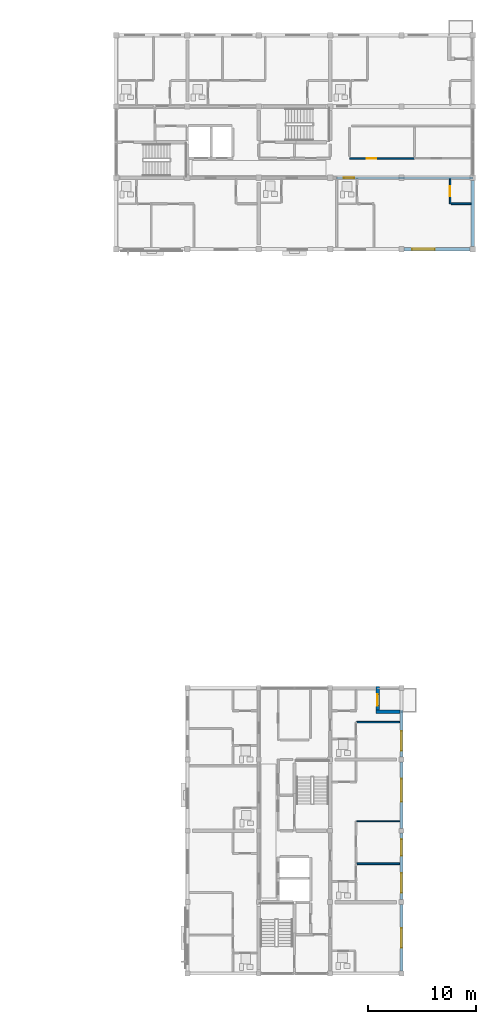
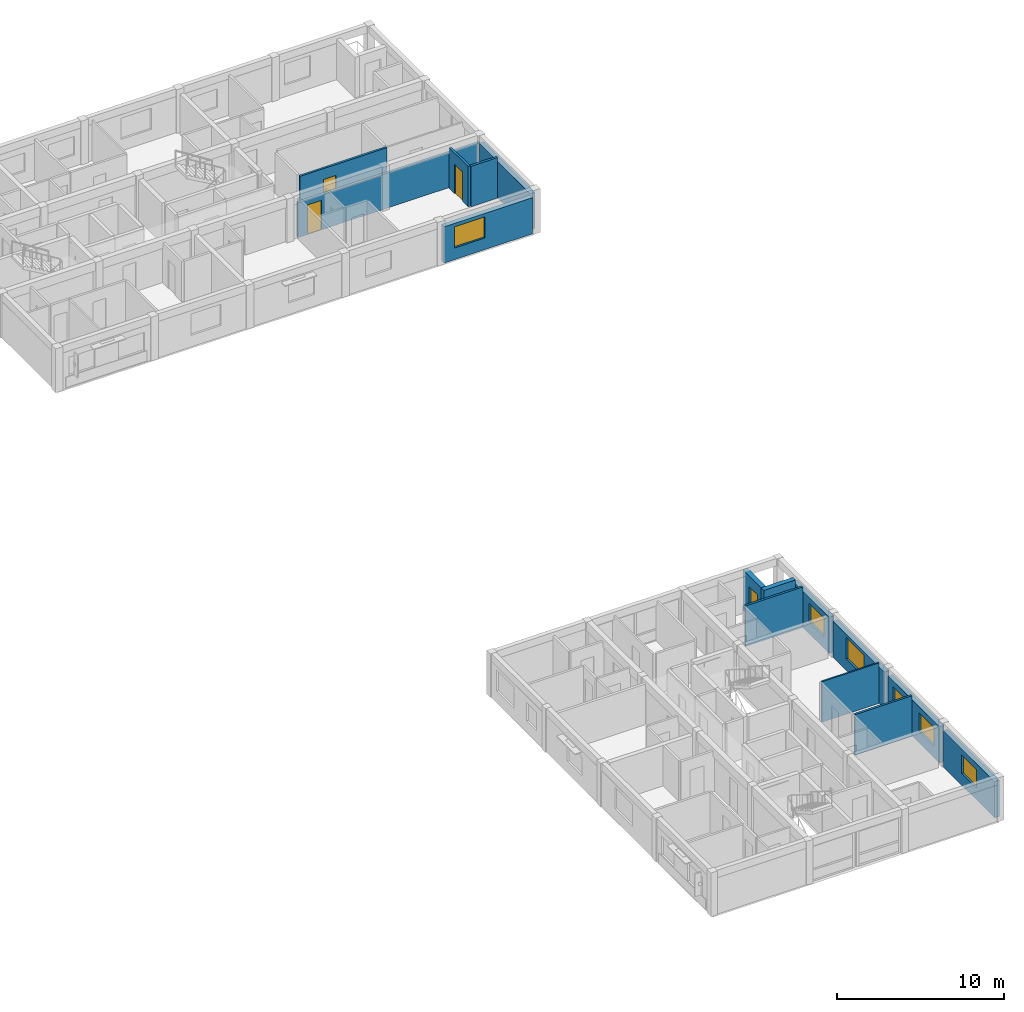
# One storey, part 40 of 53: 15 walls, 6 windows, 4 doors, 10 openings.
"""IFC4 building model written with IfcOpenShell, lengths in metres."""

from ifc_helpers import new_model, si_unit, direction, frame, frame_2d, origin, place, context, subcontext, project, spatial, rectangle, extrude, material, layer, layer_set, type_object, element, fill, save


model = new_model("IFC4")

# Units and contexts
model_context = context("Model", 3, precision=1e-05, world=origin(), true_north=direction((0.0, 1.0)))
body_context = subcontext(model_context, "Body", "Model", "MODEL_VIEW")
ifc_project = project(units=[si_unit("LENGTHUNIT", "METRE"), si_unit("AREAUNIT", "SQUARE_METRE"), si_unit("VOLUMEUNIT", "CUBIC_METRE"), si_unit("PLANEANGLEUNIT", "RADIAN"), si_unit("MASSUNIT", "GRAM", prefix="KILO")], contexts=[model_context])

# Site, building, storey
site_placement = place(None, origin())
site = spatial("IfcSite", under=ifc_project, at=site_placement, CompositionType="ELEMENT")
building_placement = place(site_placement, origin())
building = spatial("IfcBuilding", under=site, at=building_placement, Name="Kernevlak Ridge Housing Community", CompositionType="ELEMENT")
storey_placement = place(building_placement, frame((0.0, 0.0, 18.0)))
storey = spatial("IfcBuildingStorey", under=building, at=storey_placement, Name="L05", CompositionType="ELEMENT", Elevation=18.0)

# Wall, opening, window
ifc_material_1 = material(Name="Concrete block masonry M10", Category="masonry")
ifc_layer_1 = layer(ifc_material_1, 0.320068359375, Name="Concrete block masonry M10")
ifc_layer_set_1 = layer_set([ifc_layer_1], Name="Concrete block masonry M10")
wall_type_1 = type_object("IfcWallType", Name="EW-02", PredefinedType="STANDARD", material=ifc_layer_set_1)
wall_1_placement = place(storey_placement, frame((146.050048828125, 82.60009765625, 0.0), z_axis=(0.0, 0.0, 1.0), x_axis=(1.0, 0.0, 0.0)))
wall_1 = element("IfcWall", 1, at=wall_1_placement, inside=storey, type_object=wall_type_1, Name="Exterior wall EW-02 L05 375", PredefinedType="STANDARD", context=body_context, shape_type="SweptSolid", body=[
    extrude(rectangle(XDim=6.099853515625, YDim=0.320068359375, at=frame_2d((3.0498046875, 0.0))), origin(), (0.0, 0.0, 1.0), 2.64990234375),
])
opening_1_placement = place(wall_1_placement, frame((0.72509765625, 0.0, 0.85009765625)))
opening_1 = element("IfcOpeningElement", 2, at=opening_1_placement, cuts=wall_1, Name="Opening WT-05", PredefinedType="OPENING", context=body_context, shape_type="SweptSolid", body=[
    extrude(rectangle(XDim=2.10009765625, YDim=1.550048828125, at=frame_2d((1.050048828125, 0.77490234375))), frame((0.0, 0.169921875, 0.0), z_axis=(0.0, -1.0, 0.0), x_axis=(1.0, 0.0, 0.0)), (0.0, 0.0, 1.0), 0.340087890625),
])
ifc_material_2 = material(Name="Aluminium EN AW-6060 anodised and laminated glass", Category="aluminium")
window_type_1 = type_object("IfcWindowType", Name="WT-05", PartitioningType="SINGLE_PANEL", PredefinedType="WINDOW", material=ifc_material_2)
window_1_placement = place(opening_1_placement, origin())
window_1 = element("IfcWindow", 3, at=window_1_placement, inside=storey, type_object=window_type_1, Name="Window WT-05 L05 288", OverallHeight=1.550048828125, OverallWidth=2.10009765625, PartitioningType="SINGLE_PANEL", PredefinedType="WINDOW", context=body_context, shape_type="SweptSolid", body=[
    extrude(rectangle(XDim=2.10009765625, YDim=1.550048828125, at=frame_2d((1.050048828125, 0.77490234375))), frame((0.0, 0.030029296875, 0.0), z_axis=(0.0, -1.0, 0.0), x_axis=(1.0, 0.0, 0.0)), (0.0, 0.0, 1.0), 0.06005859375),
])
fill(opening_1, window_1)

# Wall
wall_2_placement = place(storey_placement, frame((152.39990234375, 82.85009765625, 0.0), z_axis=(0.0, 0.0, 1.0), x_axis=(0.0, 1.0, 0.0)))
element("IfcWall", 4, at=wall_2_placement, inside=storey, type_object=wall_type_1, Name="Exterior wall EW-02 L05 385", PredefinedType="STANDARD", context=body_context, shape_type="SweptSolid", body=[
    extrude(rectangle(XDim=6.099853515625, YDim=0.320068359375, at=frame_2d((3.0498046875, 0.0))), origin(), (0.0, 0.0, 1.0), 2.64990234375),
])

# Wall, opening, window
wall_3_placement = place(storey_placement, frame((145.800048828125, 15.824951171875, 0.0), z_axis=(0.0, 0.0, 1.0), x_axis=(0.0, 1.0, 0.0)))
wall_3 = element("IfcWall", 5, at=wall_3_placement, inside=storey, type_object=wall_type_1, Name="Exterior wall EW-02 L05 604", PredefinedType="STANDARD", context=body_context, shape_type="SweptSolid", body=[
    extrude(rectangle(XDim=6.150146484375, YDim=0.320068359375, at=frame_2d((3.0751953125, 0.0))), origin(), (0.0, 0.0, 1.0), 2.64990234375),
])
opening_2_placement = place(wall_3_placement, frame((2.175048828125, 0.0, 0.85009765625)))
opening_2 = element("IfcOpeningElement", 6, at=opening_2_placement, cuts=wall_3, Name="Opening WT-03", PredefinedType="OPENING", context=body_context, shape_type="SweptSolid", body=[
    extrude(rectangle(XDim=1.800048828125, YDim=1.35009765625, at=frame_2d((0.89990234375, 0.675048828125))), frame((0.0, 0.169921875, 0.0), z_axis=(0.0, -1.0, 0.0), x_axis=(1.0, 0.0, 0.0)), (0.0, 0.0, 1.0), 0.340087890625),
])
window_type_2 = type_object("IfcWindowType", Name="WT-03", PartitioningType="SINGLE_PANEL", PredefinedType="WINDOW", material=ifc_material_2)
window_2_placement = place(opening_2_placement, origin())
window_2 = element("IfcWindow", 7, at=window_2_placement, inside=storey, type_object=window_type_2, Name="Window WT-03 L05 493", OverallHeight=1.35009765625, OverallWidth=1.800048828125, PartitioningType="SINGLE_PANEL", PredefinedType="WINDOW", context=body_context, shape_type="SweptSolid", body=[
    extrude(rectangle(XDim=1.800048828125, YDim=1.35009765625, at=frame_2d((0.89990234375, 0.675048828125))), frame((0.0, 0.030029296875, 0.0), z_axis=(0.0, -1.0, 0.0), x_axis=(1.0, 0.0, 0.0)), (0.0, 0.0, 1.0), 0.06005859375),
])
fill(opening_2, window_2)

# Wall, openings, windows
wall_4_placement = place(storey_placement, frame((145.800048828125, 22.425048828125, 0.0), z_axis=(0.0, 0.0, 1.0), x_axis=(0.0, 1.0, 0.0)))
wall_4 = element("IfcWall", 8, at=wall_4_placement, inside=storey, type_object=wall_type_1, Name="Exterior wall EW-02 L05 605", PredefinedType="STANDARD", context=body_context, shape_type="SweptSolid", body=[
    extrude(rectangle(XDim=6.14990234375, YDim=0.320068359375, at=frame_2d((3.074951171875, 0.0))), origin(), (0.0, 0.0, 1.0), 2.64990234375),
])
opening_3_placement = place(wall_4_placement, frame((0.64990234375, 0.0, 0.85009765625)))
opening_3 = element("IfcOpeningElement", 9, at=opening_3_placement, cuts=wall_4, Name="Opening WT-03", PredefinedType="OPENING", context=body_context, shape_type="SweptSolid", body=[
    extrude(rectangle(XDim=1.800048828125, YDim=1.35009765625, at=frame_2d((0.89990234375, 0.675048828125))), frame((0.0, 0.169921875, 0.0), z_axis=(0.0, -1.0, 0.0), x_axis=(1.0, 0.0, 0.0)), (0.0, 0.0, 1.0), 0.340087890625),
])
opening_4_placement = place(wall_4_placement, frame((4.074951171875, 0.0, 0.85009765625)))
opening_4 = element("IfcOpeningElement", 10, at=opening_4_placement, cuts=wall_4, Name="Opening WT-02", PredefinedType="OPENING", context=body_context, shape_type="SweptSolid", body=[
    extrude(rectangle(XDim=1.5, YDim=1.35009765625, at=frame_2d((0.75, 0.675048828125))), frame((0.0, 0.169921875, 0.0), z_axis=(0.0, -1.0, 0.0), x_axis=(1.0, 0.0, 0.0)), (0.0, 0.0, 1.0), 0.340087890625),
])
window_type_3 = type_object("IfcWindowType", Name="WT-02", PartitioningType="SINGLE_PANEL", PredefinedType="WINDOW", material=ifc_material_2)
window_3_placement = place(opening_4_placement, origin())
window_3 = element("IfcWindow", 11, at=window_3_placement, inside=storey, type_object=window_type_3, Name="Window WT-02 L05 495", OverallHeight=1.35009765625, OverallWidth=1.5, PartitioningType="SINGLE_PANEL", PredefinedType="WINDOW", context=body_context, shape_type="SweptSolid", body=[
    extrude(rectangle(XDim=1.5, YDim=1.35009765625, at=frame_2d((0.75, 0.675048828125))), frame((0.0, 0.030029296875, 0.0), z_axis=(0.0, -1.0, 0.0), x_axis=(1.0, 0.0, 0.0)), (0.0, 0.0, 1.0), 0.06005859375),
])
fill(opening_4, window_3)
window_4_placement = place(opening_3_placement, origin())
window_4 = element("IfcWindow", 12, at=window_4_placement, inside=storey, type_object=window_type_2, Name="Window WT-03 L05 494", OverallHeight=1.35009765625, OverallWidth=1.800048828125, PartitioningType="SINGLE_PANEL", PredefinedType="WINDOW", context=body_context, shape_type="SweptSolid", body=[
    extrude(rectangle(XDim=1.800048828125, YDim=1.35009765625, at=frame_2d((0.89990234375, 0.675048828125))), frame((0.0, 0.030029296875, 0.0), z_axis=(0.0, -1.0, 0.0), x_axis=(1.0, 0.0, 0.0)), (0.0, 0.0, 1.0), 0.06005859375),
])
fill(opening_3, window_4)

# Wall, opening, window
wall_5_placement = place(storey_placement, frame((145.800048828125, 29.02490234375, 0.0), z_axis=(0.0, 0.0, 1.0), x_axis=(0.0, 1.0, 0.0)))
wall_5 = element("IfcWall", 13, at=wall_5_placement, inside=storey, type_object=wall_type_1, Name="Exterior wall EW-02 L05 606", PredefinedType="STANDARD", context=body_context, shape_type="SweptSolid", body=[
    extrude(rectangle(XDim=6.150146484375, YDim=0.320068359375, at=frame_2d((3.0751953125, 0.0))), origin(), (0.0, 0.0, 1.0), 2.64990234375),
])
opening_5_placement = place(wall_5_placement, frame((2.470947265625, 0.0, 0.85009765625)))
opening_5 = element("IfcOpeningElement", 14, at=opening_5_placement, cuts=wall_5, Name="Opening WT-05", PredefinedType="OPENING", context=body_context, shape_type="SweptSolid", body=[
    extrude(rectangle(XDim=2.10009765625, YDim=1.550048828125, at=frame_2d((1.050048828125, 0.77490234375))), frame((0.0, 0.169921875, 0.0), z_axis=(0.0, -1.0, 0.0), x_axis=(1.0, 0.0, 0.0)), (0.0, 0.0, 1.0), 0.340087890625),
])
window_5_placement = place(opening_5_placement, origin())
window_5 = element("IfcWindow", 15, at=window_5_placement, inside=storey, type_object=window_type_1, Name="Window WT-05 L05 496", OverallHeight=1.550048828125, OverallWidth=2.10009765625, PartitioningType="SINGLE_PANEL", PredefinedType="WINDOW", context=body_context, shape_type="SweptSolid", body=[
    extrude(rectangle(XDim=2.10009765625, YDim=1.550048828125, at=frame_2d((1.050048828125, 0.77490234375))), frame((0.0, 0.030029296875, 0.0), z_axis=(0.0, -1.0, 0.0), x_axis=(1.0, 0.0, 0.0)), (0.0, 0.0, 1.0), 0.06005859375),
])
fill(opening_5, window_5)

wall_6_placement = place(storey_placement, frame((145.800048828125, 35.625, 0.0), z_axis=(0.0, 0.0, 1.0), x_axis=(0.0, 1.0, 0.0)))
wall_6 = element("IfcWall", 16, at=wall_6_placement, inside=storey, type_object=wall_type_1, Name="Exterior wall EW-02 L05 607", PredefinedType="STANDARD", context=body_context, shape_type="SweptSolid", body=[
    extrude(rectangle(XDim=4.3349609375, YDim=0.320068359375, at=frame_2d((2.16748046875, 0.0))), origin(), (0.0, 0.0, 1.0), 2.64990234375),
])
opening_6_placement = place(wall_6_placement, frame((0.60009765625, 0.0, 0.85009765625)))
opening_6 = element("IfcOpeningElement", 17, at=opening_6_placement, cuts=wall_6, Name="Opening WT-03", PredefinedType="OPENING", context=body_context, shape_type="SweptSolid", body=[
    extrude(rectangle(XDim=1.800048828125, YDim=1.35009765625, at=frame_2d((0.89990234375, 0.675048828125))), frame((0.0, 0.169921875, 0.0), z_axis=(0.0, -1.0, 0.0), x_axis=(1.0, 0.0, 0.0)), (0.0, 0.0, 1.0), 0.340087890625),
])
window_6_placement = place(opening_6_placement, origin())
window_6 = element("IfcWindow", 18, at=window_6_placement, inside=storey, type_object=window_type_2, Name="Window WT-03 L05 497", OverallHeight=1.35009765625, OverallWidth=1.800048828125, PartitioningType="SINGLE_PANEL", PredefinedType="WINDOW", context=body_context, shape_type="SweptSolid", body=[
    extrude(rectangle(XDim=1.800048828125, YDim=1.35009765625, at=frame_2d((0.89990234375, 0.675048828125))), frame((0.0, 0.030029296875, 0.0), z_axis=(0.0, -1.0, 0.0), x_axis=(1.0, 0.0, 0.0)), (0.0, 0.0, 1.0), 0.06005859375),
])
fill(opening_6, window_6)

# Wall
wall_7_placement = place(storey_placement, frame((145.639892578125, 39.800048828125, 0.0), z_axis=(0.0, 0.0, 1.0), x_axis=(-1.0, 0.0, 0.0)))
element("IfcWall", 19, at=wall_7_placement, inside=storey, type_object=wall_type_1, Name="Exterior wall EW-02 L05 608", PredefinedType="STANDARD", context=body_context, shape_type="SweptSolid", body=[
    extrude(rectangle(XDim=2.199951171875, YDim=0.320068359375, at=frame_2d((1.10009765625, 0.0))), origin(), (0.0, 0.0, 1.0), 2.9599609375),
])

# Wall, opening, door
wall_8_placement = place(storey_placement, frame((143.60009765625, 39.9599609375, 0.0), z_axis=(0.0, 0.0, 1.0), x_axis=(0.0, 1.0, 0.0)))
wall_8 = element("IfcWall", 20, at=wall_8_placement, inside=storey, type_object=wall_type_1, Name="Exterior wall EW-02 L05 609", PredefinedType="STANDARD", context=body_context, shape_type="SweptSolid", body=[
    extrude(rectangle(XDim=2.199951171875, YDim=0.320068359375, at=frame_2d((1.10009765625, 0.0))), origin(), (0.0, 0.0, 1.0), 2.9599609375),
])
opening_7_placement = place(wall_8_placement, frame((0.429931640625, 0.0, 0.0)))
opening_7 = element("IfcOpeningElement", 21, at=opening_7_placement, cuts=wall_8, Name="Opening E262", PredefinedType="OPENING", context=body_context, shape_type="SweptSolid", body=[
    extrude(rectangle(XDim=1.02001953125, YDim=2.159912109375, at=frame_2d((0.510009765625, 1.080078125))), frame((0.0, 0.169921875, 0.0), z_axis=(0.0, -1.0, 0.0), x_axis=(1.0, 0.0, 0.0)), (0.0, 0.0, 1.0), 0.340087890625),
])
ifc_material_3 = material(Name="Aluminium EN AW-6060 and laminated safety glass", Category="aluminium")
door_type_1 = type_object("IfcDoorType", Name="DT-33", OperationType="NOTDEFINED", PredefinedType="DOOR", material=ifc_material_3)
door_1_placement = place(opening_7_placement, origin())
door_1 = element("IfcDoor", 22, at=door_1_placement, inside=storey, type_object=door_type_1, Name="Flat C0523 corner balcony glazed door E262", OperationType="SINGLE_SWING_LEFT", OverallHeight=2.159912109375, OverallWidth=1.02001953125, PredefinedType="DOOR", context=body_context, shape_type="SweptSolid", body=[
    extrude(rectangle(XDim=1.02001953125, YDim=2.159912109375, at=frame_2d((0.510009765625, 1.080078125))), frame((0.0, 0.02490234375, 0.0), z_axis=(0.0, -1.0, 0.0), x_axis=(1.0, 0.0, 0.0)), (0.0, 0.0, 1.0), 0.050048828125),
])
fill(opening_7, door_1)

ifc_layer_2 = layer(ifc_material_1, 0.175048828125, Name="Concrete block masonry M10")
ifc_layer_set_2 = layer_set([ifc_layer_2], Name="Concrete block masonry M10")
wall_type_2 = type_object("IfcWallType", Name="PW-02", PredefinedType="PARTITIONING", material=ifc_layer_set_2)
wall_9_placement = place(storey_placement, frame((139.800048828125, 89.199951171875, 0.0), z_axis=(0.0, 0.0, 1.0), x_axis=(1.0, 0.0, 0.0)))
wall_9 = element("IfcWall", 23, at=wall_9_placement, inside=storey, type_object=wall_type_2, Name="Interior wall PW-02 WAL-INT-L05-1478", PredefinedType="PARTITIONING", context=body_context, shape_type="SweptSolid", body=[
    extrude(rectangle(XDim=12.599853515625, YDim=0.175048828125, at=frame_2d((6.2998046875, 0.0))), origin(), (0.0, 0.0, 1.0), 2.550048828125),
])
opening_8_placement = place(wall_9_placement, frame((0.669921875, 0.0, 0.0)))
opening_8 = element("IfcOpeningElement", 24, at=opening_8_placement, cuts=wall_9, Name="Opening D747", PredefinedType="OPENING", context=body_context, shape_type="SweptSolid", body=[
    extrude(rectangle(XDim=0.949951171875, YDim=2.159912109375, at=frame_2d((0.47509765625, 1.080078125))), frame((0.0, 0.097412109375, 0.0), z_axis=(0.0, -1.0, 0.0), x_axis=(1.0, 0.0, 0.0)), (0.0, 0.0, 1.0), 0.195068359375),
])
ifc_material_4 = material(Name="Hardwood timber solid-core fire leaf", Category="wood")
door_type_2 = type_object("IfcDoorType", Name="DT-02", OperationType="NOTDEFINED", PredefinedType="DOOR", material=ifc_material_4)
door_2_placement = place(opening_8_placement, origin())
door_2 = element("IfcDoor", 25, at=door_2_placement, inside=storey, type_object=door_type_2, Name="Flat B0513 entrance fire door D747", OperationType="SINGLE_SWING_LEFT", OverallHeight=2.159912109375, OverallWidth=0.949951171875, PredefinedType="DOOR", context=body_context, shape_type="SweptSolid", body=[
    extrude(rectangle(XDim=0.949951171875, YDim=2.159912109375, at=frame_2d((0.47509765625, 1.080078125))), frame((0.0, 0.02490234375, 0.0), z_axis=(0.0, -1.0, 0.0), x_axis=(1.0, 0.0, 0.0)), (0.0, 0.0, 1.0), 0.050048828125),
])
fill(opening_8, door_2)

ifc_layer_3 = layer(ifc_material_1, 0.14501953125, Name="Concrete block masonry M10")
ifc_layer_set_3 = layer_set([ifc_layer_3], Name="Concrete block masonry M10")
wall_type_3 = type_object("IfcWallType", Name="PW-03", PredefinedType="PARTITIONING", material=ifc_layer_set_3)
wall_10_placement = place(storey_placement, frame((141.0, 91.0, 0.0), z_axis=(0.0, 0.0, 1.0), x_axis=(1.0, 0.0, 0.0)))
wall_10 = element("IfcWall", 26, at=wall_10_placement, inside=storey, type_object=wall_type_3, Name="Interior wall PW-03 WAL-INT-L05-1460", PredefinedType="PARTITIONING", context=body_context, shape_type="SweptSolid", body=[
    extrude(rectangle(XDim=6.0, YDim=0.14501953125, at=frame_2d((3.0, 0.0))), origin(), (0.0, 0.0, 1.0), 2.9599609375),
])
opening_9_placement = place(wall_10_placement, frame((1.60009765625, 0.0, 0.0)))
opening_9 = element("IfcOpeningElement", 27, at=opening_9_placement, cuts=wall_10, Name="Opening D738", PredefinedType="OPENING", context=body_context, shape_type="SweptSolid", body=[
    extrude(rectangle(XDim=0.8798828125, YDim=2.159912109375, at=frame_2d((0.43994140625, 1.080078125))), frame((0.0, 0.08251953125, 0.0), z_axis=(0.0, -1.0, 0.0), x_axis=(1.0, 0.0, 0.0)), (0.0, 0.0, 1.0), 0.1650390625),
])
ifc_material_5 = material(Name="Hardwood timber leaf", Category="wood")
door_type_3 = type_object("IfcDoorType", Name="DT-26", OperationType="NOTDEFINED", PredefinedType="DOOR", material=ifc_material_5)
door_3_placement = place(opening_9_placement, origin())
door_3 = element("IfcDoor", 28, at=door_3_placement, inside=storey, type_object=door_type_3, Name="Block B Laundry room door D738", OperationType="SINGLE_SWING_RIGHT", OverallHeight=2.159912109375, OverallWidth=0.8798828125, PredefinedType="DOOR", context=body_context, shape_type="SweptSolid", body=[
    extrude(rectangle(XDim=0.8798828125, YDim=2.159912109375, at=frame_2d((0.43994140625, 1.080078125))), frame((0.0, 0.02490234375, 0.0), z_axis=(0.0, -1.0, 0.0), x_axis=(1.0, 0.0, 0.0)), (0.0, 0.0, 1.0), 0.050048828125),
])
fill(opening_9, door_3)

# Walls
for number, where, z_axis, x_axis, name in (
    (29, (141.6826171875, 25.75, 0.0), (0.0, 0.0, 1.0), (1.0, 0.0, 0.0), "Interior wall PW-03 WAL-INT-L05-2479"),
    (30, (141.6826171875, 38.85009765625, 0.0), (0.0, 0.0, 1.0), (1.0, 0.0, 0.0), "Interior wall PW-03 WAL-INT-L05-2488"),
):
    element("IfcWall", number, at=place(storey_placement, frame(where, z_axis=z_axis, x_axis=x_axis)), inside=storey, type_object=wall_type_3, Name=name, PredefinedType="PARTITIONING", context=body_context, shape_type="SweptSolid", body=[
        extrude(rectangle(XDim=3.947265625, YDim=0.14501953125, at=frame_2d((1.9736328125, 0.0))), origin(), (0.0, 0.0, 1.0), 2.9599609375),
    ])

# Wall, opening, door
ifc_material_6 = material(Name="Gypsum plasterboard EN 520", Category="gypsum")
ifc_layer_4 = layer(ifc_material_6, 0.155029296875, Name="Gypsum plasterboard EN 520")
ifc_layer_set_4 = layer_set([ifc_layer_4], Name="Gypsum plasterboard EN 520")
wall_type_4 = type_object("IfcWallType", Name="PW-05", PredefinedType="PARTITIONING", material=ifc_layer_set_4)
wall_11_placement = place(storey_placement, frame((150.300048828125, 89.1025390625, 0.0), z_axis=(0.0, 0.0, 1.0), x_axis=(0.0, -1.0, 0.0)))
wall_11 = element("IfcWall", 31, at=wall_11_placement, inside=storey, type_object=wall_type_4, Name="Interior wall PW-05 WAL-INT-L05-1481", PredefinedType="PARTITIONING", context=body_context, shape_type="SweptSolid", body=[
    extrude(rectangle(XDim=2.302490234375, YDim=0.155029296875, at=frame_2d((1.1513671875, 0.0))), origin(), (0.0, 0.0, 1.0), 2.9599609375),
])
opening_10_placement = place(wall_11_placement, frame((0.699951171875, 0.0, 0.0)))
opening_10 = element("IfcOpeningElement", 32, at=opening_10_placement, cuts=wall_11, Name="Opening D749", PredefinedType="OPENING", context=body_context, shape_type="SweptSolid", body=[
    extrude(rectangle(XDim=0.909912109375, YDim=2.139892578125, at=frame_2d((0.455078125, 1.06982421875))), frame((0.0, 0.08740234375, 0.0), z_axis=(0.0, -1.0, 0.0), x_axis=(1.0, 0.0, 0.0)), (0.0, 0.0, 1.0), 0.175048828125),
])
door_type_4 = type_object("IfcDoorType", Name="DT-31", OperationType="NOTDEFINED", PredefinedType="DOOR", material=ifc_material_5)
door_4_placement = place(opening_10_placement, origin())
door_4 = element("IfcDoor", 33, at=door_4_placement, inside=storey, type_object=door_type_4, Name="Flat B0513 kitchen door D749", OperationType="SINGLE_SWING_LEFT", OverallHeight=2.139892578125, OverallWidth=0.909912109375, PredefinedType="DOOR", context=body_context, shape_type="SweptSolid", body=[
    extrude(rectangle(XDim=0.909912109375, YDim=2.139892578125, at=frame_2d((0.455078125, 1.06982421875))), frame((0.0, 0.02490234375, 0.0), z_axis=(0.0, -1.0, 0.0), x_axis=(1.0, 0.0, 0.0)), (0.0, 0.0, 1.0), 0.050048828125),
])
fill(opening_10, door_4)

# Walls
wall_12_placement = place(storey_placement, frame((150.387451171875, 86.800048828125, 0.0), z_axis=(0.0, 0.0, 1.0), x_axis=(1.0, 0.0, 0.0)))
element("IfcWall", 34, at=wall_12_placement, inside=storey, type_object=wall_type_4, Name="Interior wall PW-05 WAL-INT-L05-1482", PredefinedType="PARTITIONING", context=body_context, shape_type="SweptSolid", body=[
    extrude(rectangle(XDim=1.842529296875, YDim=0.155029296875, at=frame_2d((0.92138671875, 0.0))), origin(), (0.0, 0.0, 1.0), 2.9599609375),
])
ifc_layer_5 = layer(ifc_material_6, 0.10498046875, Name="Gypsum plasterboard EN 520")
ifc_layer_set_5 = layer_set([ifc_layer_5], Name="Gypsum plasterboard EN 520")
wall_type_5 = type_object("IfcWallType", Name="PW-06", PredefinedType="PARTITIONING", material=ifc_layer_set_5)
wall_13_placement = place(storey_placement, frame((141.6826171875, 29.69189453125, 0.0), z_axis=(0.0, 0.0, 1.0), x_axis=(1.0, 0.0, 0.0)))
element("IfcWall", 35, at=wall_13_placement, inside=storey, type_object=wall_type_5, Name="Interior wall PW-06 WAL-INT-L05-2481", PredefinedType="PARTITIONING", context=body_context, shape_type="SweptSolid", body=[
    extrude(rectangle(XDim=3.947265625, YDim=0.10498046875, at=frame_2d((1.9736328125, 0.0))), origin(), (0.0, 0.0, 1.0), 2.9599609375),
])

save(model, "model.ifc")
